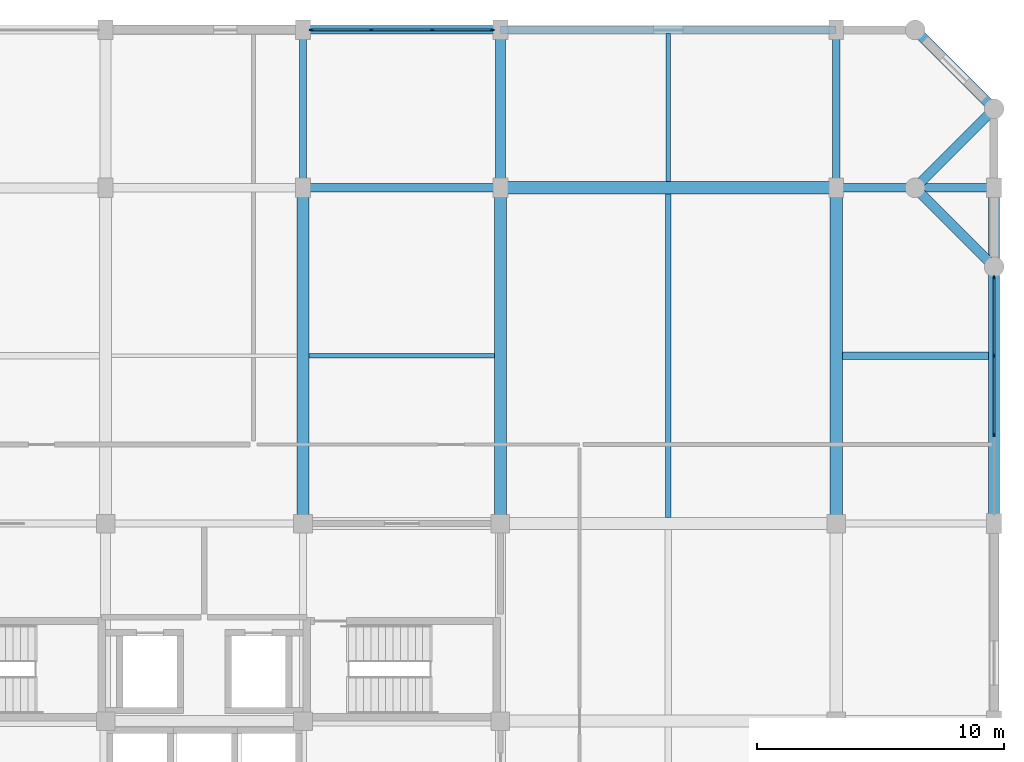
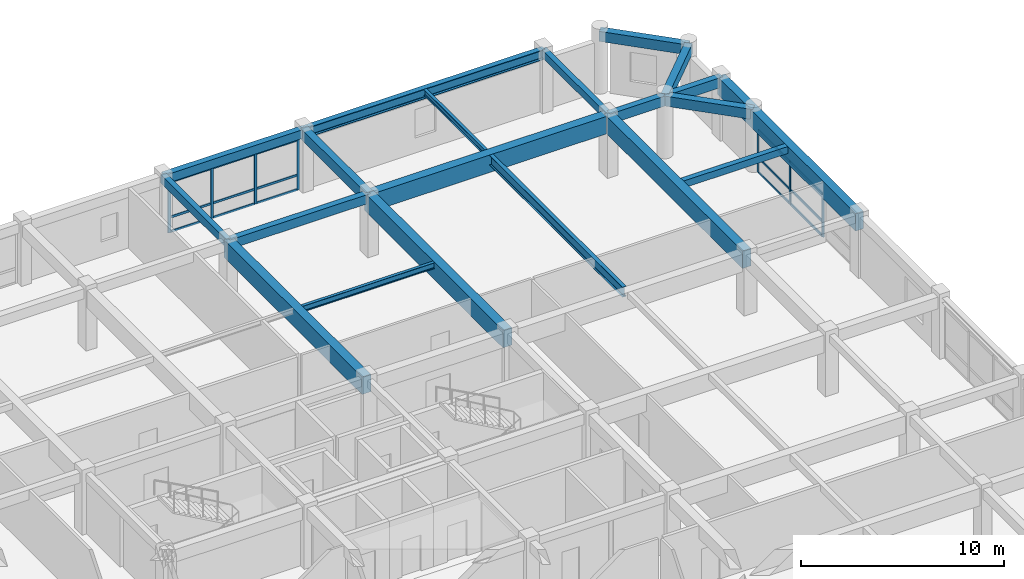
# One storey, part 8 of 14: 22 members, 19 beams, 2 elements without a shape of their own.
"""IFC4 building model written with IfcOpenShell, lengths in metres."""

from ifc_helpers import new_model, si_unit, direction, frame, origin, origin_2d, place, context, subcontext, project, spatial, rectangle, i_section, extrude, material, material_profile, profile_set, type_object, element, aggregate, save


model = new_model("IFC4")

# Units and contexts
model_context = context("Model", 3, precision=1e-05, world=origin(), true_north=direction((0.0, 1.0)))
body_context = subcontext(model_context, "Body", "Model", "MODEL_VIEW")
ifc_project = project(units=[si_unit("LENGTHUNIT", "METRE"), si_unit("AREAUNIT", "SQUARE_METRE"), si_unit("VOLUMEUNIT", "CUBIC_METRE"), si_unit("PLANEANGLEUNIT", "RADIAN"), si_unit("MASSUNIT", "GRAM", prefix="KILO")], contexts=[model_context])

# Site, building, storey
site_placement = place(None, origin())
site = spatial("IfcSite", under=ifc_project, at=site_placement, CompositionType="ELEMENT")
building_placement = place(site_placement, origin())
building = spatial("IfcBuilding", under=site, at=building_placement, Name="Vellmiral Cinema and Media Centre", CompositionType="ELEMENT")
storey_placement = place(building_placement, frame((0.0, 0.0, 27.800048828125)))
storey = spatial("IfcBuildingStorey", under=building, at=storey_placement, Name="L06", CompositionType="ELEMENT", Elevation=27.800048828125)

# Beams
ifc_material_1 = material(Name="Concrete C40/50", Category="concrete")
ifc_material_profile_1 = material_profile(ifc_material_1, rectangle(XDim=0.300048828125, YDim=0.449951171875, at=origin_2d()), Name="RC 300x450")
ifc_profile_set_1 = profile_set([ifc_material_profile_1], Name="Concrete C40/50")
beam_type_1 = type_object("IfcBeamType", Name="BM-RC-300x450", PredefinedType="BEAM", material=ifc_profile_set_1)
beam_1_placement = place(storey_placement, frame((161.60009765625, 108.800048828125, 3.409912109375), z_axis=(0.0, 1.0, 0.0), x_axis=(-1.0, 0.0, 0.0)))
element("IfcBeam", 1, at=beam_1_placement, inside=storey, type_object=beam_type_1, Name="Grid Beam L06-Y090", PredefinedType="BEAM", context=body_context, shape_type="SweptSolid", body=[
    extrude(rectangle(XDim=0.300048828125, YDim=0.449951171875, at=origin_2d()), origin(), (0.0, 0.0, 1.0), 6.39990234375),
])
ifc_material_2 = material(Name="Concrete C40/50", Category="concrete")
ifc_material_profile_2 = material_profile(ifc_material_2, rectangle(XDim=0.300048828125, YDim=0.5, at=origin_2d()), Name="RC 300x500")
ifc_profile_set_2 = profile_set([ifc_material_profile_2], Name="Concrete C40/50")
beam_type_2 = type_object("IfcBeamType", Name="BM-RC-300x500", PredefinedType="BEAM", material=ifc_profile_set_2)
beam_2_placement = place(storey_placement, frame((140.0, 108.800048828125, 3.385009765625), z_axis=(0.0, 1.0, 0.0), x_axis=(-1.0, 0.0, 0.0)))
element("IfcBeam", 2, at=beam_2_placement, inside=storey, type_object=beam_type_2, Name="Grid Beam L06-Y078", PredefinedType="BEAM", context=body_context, shape_type="SweptSolid", body=[
    extrude(rectangle(XDim=0.300048828125, YDim=0.5, at=origin_2d()), origin(), (0.0, 0.0, 1.0), 6.39990234375),
])
ifc_material_3 = material(Name="Concrete C40/50", Category="concrete")
ifc_material_profile_3 = material_profile(ifc_material_3, rectangle(XDim=0.35009765625, YDim=0.550048828125, at=origin_2d()), Name="RC 350x550")
ifc_profile_set_3 = profile_set([ifc_material_profile_3], Name="Concrete C40/50")
beam_type_3 = type_object("IfcBeamType", Name="BM-RC-350x550", PredefinedType="BEAM", material=ifc_profile_set_3)
beam_3_placement = place(storey_placement, frame((140.0, 108.800048828125, 3.35986328125), z_axis=(1.0, 0.0, 0.0), x_axis=(0.0, 1.0, 0.0)))
element("IfcBeam", 3, at=beam_3_placement, inside=storey, type_object=beam_type_3, Name="Grid Beam L06-X040", PredefinedType="BEAM", context=body_context, shape_type="SweptSolid", body=[
    extrude(rectangle(XDim=0.35009765625, YDim=0.550048828125, at=origin_2d()), origin(), (0.0, 0.0, 1.0), 8.0),
])
ifc_material_4 = material(Name="Concrete C40/50", Category="concrete")
ifc_material_profile_4 = material_profile(ifc_material_4, rectangle(XDim=0.35009765625, YDim=0.60009765625, at=origin_2d()), Name="RC 350x600")
ifc_profile_set_4 = profile_set([ifc_material_profile_4], Name="Concrete C40/50")
beam_type_4 = type_object("IfcBeamType", Name="BM-RC-350x600", PredefinedType="BEAM", material=ifc_profile_set_4)
beam_4_placement = place(storey_placement, frame((161.60009765625, 108.800048828125, 3.3349609375), z_axis=(1.0, 0.0, 0.0), x_axis=(0.0, 1.0, 0.0)))
element("IfcBeam", 4, at=beam_4_placement, inside=storey, type_object=beam_type_4, Name="Grid Beam L06-X042", PredefinedType="BEAM", context=body_context, shape_type="SweptSolid", body=[
    extrude(rectangle(XDim=0.35009765625, YDim=0.60009765625, at=origin_2d()), origin(), (0.0, 0.0, 1.0), 6.39990234375),
])
ifc_material_5 = material(Name="Concrete C40/50", Category="concrete")
ifc_material_profile_5 = material_profile(ifc_material_5, rectangle(XDim=0.39990234375, YDim=0.64990234375, at=origin_2d()), Name="RC 400x650")
ifc_profile_set_5 = profile_set([ifc_material_profile_5], Name="Concrete C40/50")
beam_type_5 = type_object("IfcBeamType", Name="BM-RC-400x650", PredefinedType="BEAM", material=ifc_profile_set_5)
beam_5_placement = place(storey_placement, frame((148.0, 108.800048828125, 3.31005859375), z_axis=(0.0, 1.0, 0.0), x_axis=(-1.0, 0.0, 0.0)))
element("IfcBeam", 5, at=beam_5_placement, inside=storey, type_object=beam_type_5, Name="Grid Beam L06-Y084", PredefinedType="BEAM", context=body_context, shape_type="SweptSolid", body=[
    extrude(rectangle(XDim=0.39990234375, YDim=0.64990234375, at=origin_2d()), origin(), (0.0, 0.0, 1.0), 6.39990234375),
])
ifc_material_6 = material(Name="Concrete C40/50", Category="concrete")
ifc_material_profile_6 = material_profile(ifc_material_6, rectangle(XDim=0.5, YDim=1.050048828125, at=origin_2d()), Name="RC 500x1050")
ifc_profile_set_6 = profile_set([ifc_material_profile_6], Name="Concrete C40/50")
beam_type_6 = type_object("IfcBeamType", Name="BM-RCG-500x1050", PredefinedType="BEAM", material=ifc_profile_set_6)
for number, where, z_axis, x_axis, name in (
    (6, (148.0, 108.800048828125, 3.10986328125), (1.0, 0.0, 0.0), (0.0, 1.0, 0.0), "Grid Beam L06-X041"),
    (7, (140.0, 95.199951171875, 3.10986328125), (0.0, 1.0, 0.0), (-1.0, 0.0, 0.0), "Grid Beam L06-Y077"),
    (8, (148.0, 95.199951171875, 3.10986328125), (0.0, 1.0, 0.0), (-1.0, 0.0, 0.0), "Grid Beam L06-Y083"),
    (9, (161.60009765625, 95.199951171875, 3.10986328125), (0.0, 1.0, 0.0), (-1.0, 0.0, 0.0), "Grid Beam L06-Y089"),
):
    element("IfcBeam", number, at=place(storey_placement, frame(where, z_axis=z_axis, x_axis=x_axis)), inside=storey, type_object=beam_type_6, Name=name, PredefinedType="BEAM", context=body_context, shape_type="SweptSolid", body=[
        extrude(rectangle(XDim=0.5, YDim=1.050048828125, at=origin_2d()), origin(), (0.0, 0.0, 1.0), 13.60009765625),
    ])

# Curtain wall, members
ifc_material_7 = material(Name="Thermally Broken Aluminium and Triple Glazing", Category="aluminium")
curtain_wall_type = type_object("IfcCurtainWallType", Name="CW-TOWER-LOW-S", PredefinedType="USERDEFINED", material=ifc_material_7)
curtain_wall_1_placement = place(storey_placement, origin())
curtain_wall_1 = element("IfcCurtainWall", 10, at=curtain_wall_1_placement, inside=storey, type_object=curtain_wall_type, Name="Curtain Wall L06-B013", ObjectType="UNITISED CURTAIN WALL", PredefinedType="USERDEFINED")
ifc_material_8 = material(Name="Thermally Broken Anodised Aluminium", Category="aluminium")
ifc_material_profile_7 = material_profile(ifc_material_8, rectangle(XDim=0.06494140625, YDim=0.159912109375, at=origin_2d()), Name="MULL 65x160")
ifc_profile_set_7 = profile_set([ifc_material_profile_7], Name="Thermally Broken Anodised Aluminium")
member_type_1 = type_object("IfcMemberType", Name="CWM-65x160", PredefinedType="MULLION", material=ifc_profile_set_7)
member_1_placement = place(storey_placement, frame((168.0, 98.800048828125, 0.0), z_axis=(0.0, 0.0, 1.0), x_axis=(-1.0, 0.0, 0.0)))
member_1 = element("IfcMember", 11, at=member_1_placement, type_object=member_type_1, Name="CW-06 mullion 2", PredefinedType="MULLION", context=body_context, shape_type="SweptSolid", body=[
    extrude(rectangle(XDim=0.06494140625, YDim=0.159912109375, at=origin_2d()), origin(), (0.0, 0.0, 1.0), 2.574951171875),
])
member_2_placement = place(storey_placement, frame((168.0, 102.0, 0.0), z_axis=(0.0, 0.0, 1.0), x_axis=(-1.0, 0.0, 0.0)))
member_2 = element("IfcMember", 12, at=member_2_placement, type_object=member_type_1, Name="CW-06 mullion 3", PredefinedType="MULLION", context=body_context, shape_type="SweptSolid", body=[
    extrude(rectangle(XDim=0.06494140625, YDim=0.159912109375, at=origin_2d()), origin(), (0.0, 0.0, 1.0), 2.574951171875),
])
member_3_placement = place(storey_placement, frame((168.0, 105.16748046875, 0.0), z_axis=(0.0, 0.0, 1.0), x_axis=(-1.0, 0.0, 0.0)))
member_3 = element("IfcMember", 13, at=member_3_placement, type_object=member_type_1, Name="CW-06 mullion 4", PredefinedType="MULLION", context=body_context, shape_type="SweptSolid", body=[
    extrude(rectangle(XDim=0.06494140625, YDim=0.159912109375, at=origin_2d()), origin(), (0.0, 0.0, 1.0), 2.574951171875),
])

curtain_wall_2_placement = place(storey_placement, origin())
curtain_wall_2 = element("IfcCurtainWall", 14, at=curtain_wall_2_placement, inside=storey, type_object=curtain_wall_type, Name="Curtain Wall L06-B019", ObjectType="UNITISED CURTAIN WALL", PredefinedType="USERDEFINED")
member_4_placement = place(storey_placement, frame((147.66748046875, 115.199951171875, 0.0), z_axis=(0.0, 0.0, 1.0), x_axis=(0.0, -1.0, 0.0)))
member_4 = element("IfcMember", 15, at=member_4_placement, type_object=member_type_1, Name="CW-06 mullion 1", PredefinedType="MULLION", context=body_context, shape_type="SweptSolid", body=[
    extrude(rectangle(XDim=0.06494140625, YDim=0.159912109375, at=origin_2d()), origin(), (0.0, 0.0, 1.0), 3.0400390625),
])
member_5_placement = place(storey_placement, frame((145.2333984375, 115.199951171875, 0.0), z_axis=(0.0, 0.0, 1.0), x_axis=(0.0, -1.0, 0.0)))
member_5 = element("IfcMember", 16, at=member_5_placement, type_object=member_type_1, Name="CW-06 mullion 2", PredefinedType="MULLION", context=body_context, shape_type="SweptSolid", body=[
    extrude(rectangle(XDim=0.06494140625, YDim=0.159912109375, at=origin_2d()), origin(), (0.0, 0.0, 1.0), 3.0400390625),
])
member_6_placement = place(storey_placement, frame((142.7666015625, 115.199951171875, 0.0), z_axis=(0.0, 0.0, 1.0), x_axis=(0.0, -1.0, 0.0)))
member_6 = element("IfcMember", 17, at=member_6_placement, type_object=member_type_1, Name="CW-06 mullion 3", PredefinedType="MULLION", context=body_context, shape_type="SweptSolid", body=[
    extrude(rectangle(XDim=0.06494140625, YDim=0.159912109375, at=origin_2d()), origin(), (0.0, 0.0, 1.0), 3.0400390625),
])
member_7_placement = place(storey_placement, frame((140.33251953125, 115.199951171875, 0.0), z_axis=(0.0, 0.0, 1.0), x_axis=(0.0, -1.0, 0.0)))
member_7 = element("IfcMember", 18, at=member_7_placement, type_object=member_type_1, Name="CW-06 mullion 4", PredefinedType="MULLION", context=body_context, shape_type="SweptSolid", body=[
    extrude(rectangle(XDim=0.06494140625, YDim=0.159912109375, at=origin_2d()), origin(), (0.0, 0.0, 1.0), 3.0400390625),
])

# Member
ifc_material_9 = material(Name="Thermally Broken Anodised Aluminium", Category="aluminium")
ifc_material_profile_8 = material_profile(ifc_material_9, rectangle(XDim=0.06494140625, YDim=0.135009765625, at=origin_2d()), Name="MULL 65x135")
ifc_profile_set_8 = profile_set([ifc_material_profile_8], Name="Thermally Broken Anodised Aluminium")
member_type_2 = type_object("IfcMemberType", Name="CWT-65x135", PredefinedType="USERDEFINED", material=ifc_profile_set_8)
member_8_placement = place(storey_placement, frame((168.0, 98.83251953125, 0.032470703125), z_axis=(0.0, 1.0, 0.0), x_axis=(-1.0, 0.0, 0.0)))
member_8 = element("IfcMember", 19, at=member_8_placement, type_object=member_type_2, Name="CW-06 transom 2.1", ObjectType="TRANSOM", PredefinedType="USERDEFINED", context=body_context, shape_type="SweptSolid", body=[
    extrude(rectangle(XDim=0.06494140625, YDim=0.135009765625, at=origin_2d()), origin(), (0.0, 0.0, 1.0), 3.135009765625),
])

member_9_placement = place(storey_placement, frame((168.0, 98.83251953125, 0.89990234375), z_axis=(0.0, 1.0, 0.0), x_axis=(-1.0, 0.0, 0.0)))
member_9 = element("IfcMember", 20, at=member_9_placement, type_object=member_type_2, Name="CW-06 transom 2.2", ObjectType="TRANSOM", PredefinedType="USERDEFINED", context=body_context, shape_type="SweptSolid", body=[
    extrude(rectangle(XDim=0.06494140625, YDim=0.135009765625, at=origin_2d()), origin(), (0.0, 0.0, 1.0), 3.135009765625),
])

member_10_placement = place(storey_placement, frame((168.0, 98.83251953125, 2.54248046875), z_axis=(0.0, 1.0, 0.0), x_axis=(-1.0, 0.0, 0.0)))
member_10 = element("IfcMember", 21, at=member_10_placement, type_object=member_type_2, Name="CW-06 transom 2.3", ObjectType="TRANSOM", PredefinedType="USERDEFINED", context=body_context, shape_type="SweptSolid", body=[
    extrude(rectangle(XDim=0.06494140625, YDim=0.135009765625, at=origin_2d()), origin(), (0.0, 0.0, 1.0), 3.135009765625),
])

member_11_placement = place(storey_placement, frame((168.0, 102.032470703125, 0.032470703125), z_axis=(0.0, 1.0, 0.0), x_axis=(-1.0, 0.0, 0.0)))
member_11 = element("IfcMember", 22, at=member_11_placement, type_object=member_type_2, Name="CW-06 transom 3.1", ObjectType="TRANSOM", PredefinedType="USERDEFINED", context=body_context, shape_type="SweptSolid", body=[
    extrude(rectangle(XDim=0.06494140625, YDim=0.135009765625, at=origin_2d()), origin(), (0.0, 0.0, 1.0), 3.1025390625),
])

member_12_placement = place(storey_placement, frame((168.0, 102.032470703125, 0.89990234375), z_axis=(0.0, 1.0, 0.0), x_axis=(-1.0, 0.0, 0.0)))
member_12 = element("IfcMember", 23, at=member_12_placement, type_object=member_type_2, Name="CW-06 transom 3.2", ObjectType="TRANSOM", PredefinedType="USERDEFINED", context=body_context, shape_type="SweptSolid", body=[
    extrude(rectangle(XDim=0.06494140625, YDim=0.135009765625, at=origin_2d()), origin(), (0.0, 0.0, 1.0), 3.1025390625),
])

member_13_placement = place(storey_placement, frame((168.0, 102.032470703125, 2.54248046875), z_axis=(0.0, 1.0, 0.0), x_axis=(-1.0, 0.0, 0.0)))
member_13 = element("IfcMember", 24, at=member_13_placement, type_object=member_type_2, Name="CW-06 transom 3.3", ObjectType="TRANSOM", PredefinedType="USERDEFINED", context=body_context, shape_type="SweptSolid", body=[
    extrude(rectangle(XDim=0.06494140625, YDim=0.135009765625, at=origin_2d()), origin(), (0.0, 0.0, 1.0), 3.1025390625),
])

aggregate(curtain_wall_1, [member_1, member_2, member_3, member_8, member_9, member_10, member_11, member_12, member_13])

member_14_placement = place(storey_placement, frame((147.635009765625, 115.199951171875, 0.032470703125), z_axis=(-1.0, 0.0, 0.0), x_axis=(0.0, -1.0, 0.0)))
member_14 = element("IfcMember", 25, at=member_14_placement, type_object=member_type_2, Name="CW-06 transom 1.1", ObjectType="TRANSOM", PredefinedType="USERDEFINED", context=body_context, shape_type="SweptSolid", body=[
    extrude(rectangle(XDim=0.06494140625, YDim=0.135009765625, at=origin_2d()), origin(), (0.0, 0.0, 1.0), 2.369140625),
])

member_15_placement = place(storey_placement, frame((147.635009765625, 115.199951171875, 0.89990234375), z_axis=(-1.0, 0.0, 0.0), x_axis=(0.0, -1.0, 0.0)))
member_15 = element("IfcMember", 26, at=member_15_placement, type_object=member_type_2, Name="CW-06 transom 1.2", ObjectType="TRANSOM", PredefinedType="USERDEFINED", context=body_context, shape_type="SweptSolid", body=[
    extrude(rectangle(XDim=0.06494140625, YDim=0.135009765625, at=origin_2d()), origin(), (0.0, 0.0, 1.0), 2.369140625),
])

member_16_placement = place(storey_placement, frame((147.635009765625, 115.199951171875, 3.007568359375), z_axis=(-1.0, 0.0, 0.0), x_axis=(0.0, -1.0, 0.0)))
member_16 = element("IfcMember", 27, at=member_16_placement, type_object=member_type_2, Name="CW-06 transom 1.3", ObjectType="TRANSOM", PredefinedType="USERDEFINED", context=body_context, shape_type="SweptSolid", body=[
    extrude(rectangle(XDim=0.06494140625, YDim=0.135009765625, at=origin_2d()), origin(), (0.0, 0.0, 1.0), 2.369140625),
])

member_17_placement = place(storey_placement, frame((145.200927734375, 115.199951171875, 0.032470703125), z_axis=(-1.0, 0.0, 0.0), x_axis=(0.0, -1.0, 0.0)))
member_17 = element("IfcMember", 28, at=member_17_placement, type_object=member_type_2, Name="CW-06 transom 2.1", ObjectType="TRANSOM", PredefinedType="USERDEFINED", context=body_context, shape_type="SweptSolid", body=[
    extrude(rectangle(XDim=0.06494140625, YDim=0.135009765625, at=origin_2d()), origin(), (0.0, 0.0, 1.0), 2.40185546875),
])

member_18_placement = place(storey_placement, frame((145.200927734375, 115.199951171875, 0.89990234375), z_axis=(-1.0, 0.0, 0.0), x_axis=(0.0, -1.0, 0.0)))
member_18 = element("IfcMember", 29, at=member_18_placement, type_object=member_type_2, Name="CW-06 transom 2.2", ObjectType="TRANSOM", PredefinedType="USERDEFINED", context=body_context, shape_type="SweptSolid", body=[
    extrude(rectangle(XDim=0.06494140625, YDim=0.135009765625, at=origin_2d()), origin(), (0.0, 0.0, 1.0), 2.40185546875),
])

member_19_placement = place(storey_placement, frame((145.200927734375, 115.199951171875, 3.007568359375), z_axis=(-1.0, 0.0, 0.0), x_axis=(0.0, -1.0, 0.0)))
member_19 = element("IfcMember", 30, at=member_19_placement, type_object=member_type_2, Name="CW-06 transom 2.3", ObjectType="TRANSOM", PredefinedType="USERDEFINED", context=body_context, shape_type="SweptSolid", body=[
    extrude(rectangle(XDim=0.06494140625, YDim=0.135009765625, at=origin_2d()), origin(), (0.0, 0.0, 1.0), 2.40185546875),
])

member_20_placement = place(storey_placement, frame((142.734130859375, 115.199951171875, 0.032470703125), z_axis=(-1.0, 0.0, 0.0), x_axis=(0.0, -1.0, 0.0)))
member_20 = element("IfcMember", 31, at=member_20_placement, type_object=member_type_2, Name="CW-06 transom 3.1", ObjectType="TRANSOM", PredefinedType="USERDEFINED", context=body_context, shape_type="SweptSolid", body=[
    extrude(rectangle(XDim=0.06494140625, YDim=0.135009765625, at=origin_2d()), origin(), (0.0, 0.0, 1.0), 2.369140625),
])

member_21_placement = place(storey_placement, frame((142.734130859375, 115.199951171875, 0.89990234375), z_axis=(-1.0, 0.0, 0.0), x_axis=(0.0, -1.0, 0.0)))
member_21 = element("IfcMember", 32, at=member_21_placement, type_object=member_type_2, Name="CW-06 transom 3.2", ObjectType="TRANSOM", PredefinedType="USERDEFINED", context=body_context, shape_type="SweptSolid", body=[
    extrude(rectangle(XDim=0.06494140625, YDim=0.135009765625, at=origin_2d()), origin(), (0.0, 0.0, 1.0), 2.369140625),
])

member_22_placement = place(storey_placement, frame((142.734130859375, 115.199951171875, 3.007568359375), z_axis=(-1.0, 0.0, 0.0), x_axis=(0.0, -1.0, 0.0)))
member_22 = element("IfcMember", 33, at=member_22_placement, type_object=member_type_2, Name="CW-06 transom 3.3", ObjectType="TRANSOM", PredefinedType="USERDEFINED", context=body_context, shape_type="SweptSolid", body=[
    extrude(rectangle(XDim=0.06494140625, YDim=0.135009765625, at=origin_2d()), origin(), (0.0, 0.0, 1.0), 2.369140625),
])

aggregate(curtain_wall_2, [member_4, member_5, member_6, member_7, member_14, member_15, member_16, member_17, member_18, member_19, member_20, member_21, member_22])

# Beams
ifc_material_10 = material(Name="Concrete C40/50", Category="concrete")
ifc_material_profile_9 = material_profile(ifc_material_10, rectangle(XDim=0.300048828125, YDim=0.419921875, at=origin_2d()), Name="RC 300x420")
ifc_profile_set_9 = profile_set([ifc_material_profile_9], Name="Concrete C40/50")
beam_type_7 = type_object("IfcBeamType", Name="JST-RC-300x420", PredefinedType="JOIST", material=ifc_profile_set_9)
beam_6_placement = place(storey_placement, frame((161.85009765625, 102.0, 3.425048828125), z_axis=(1.0, 0.0, 0.0), x_axis=(0.0, 1.0, 0.0)))
element("IfcBeam", 34, at=beam_6_placement, inside=storey, type_object=beam_type_7, Name="Secondary Floor Joist L06-012", PredefinedType="JOIST", context=body_context, shape_type="SweptSolid", body=[
    extrude(rectangle(XDim=0.300048828125, YDim=0.419921875, at=origin_2d()), origin(), (0.0, 0.0, 1.0), 5.9248046875),
])
ifc_material_11 = material(Name="Steel S355", Category="steel")
ifc_material_profile_10 = material_profile(ifc_material_11, i_section(OverallWidth=0.300048828125, OverallDepth=0.60009765625, WebThickness=0.015380859375, FlangeThickness=0.030029296875, FilletRadius=0.027099609375, at=origin_2d()), Name="HEB 600")
ifc_profile_set_10 = profile_set([ifc_material_profile_10], Name="Steel S355")
beam_type_8 = type_object("IfcBeamType", Name="SBM-HEB600-SPD", PredefinedType="SPANDREL", material=ifc_profile_set_10)
beam_7_placement = place(storey_placement, frame((148.0, 115.199951171875, 3.3349609375), z_axis=(1.0, 0.0, 0.0), x_axis=(0.0, 1.0, 0.0)))
element("IfcBeam", 35, at=beam_7_placement, inside=storey, type_object=beam_type_8, Name="Grid Beam L06-X048", PredefinedType="SPANDREL", context=body_context, shape_type="SweptSolid", body=[
    extrude(i_section(OverallWidth=0.300048828125, OverallDepth=0.60009765625, WebThickness=0.015380859375, FlangeThickness=0.030029296875, FilletRadius=0.027099609375, at=origin_2d()), origin(), (0.0, 0.0, 1.0), 13.60009765625),
])
ifc_material_12 = material(Name="Steel S355", Category="steel")
ifc_material_profile_11 = material_profile(ifc_material_12, i_section(OverallWidth=0.169921875, OverallDepth=0.360107421875, WebThickness=0.008056640625, FlangeThickness=0.0126953125, FilletRadius=0.01806640625, at=origin_2d()), Name="IPE 360")
ifc_profile_set_11 = profile_set([ifc_material_profile_11], Name="Steel S355")
beam_type_9 = type_object("IfcBeamType", Name="SBM-IPE360", PredefinedType="JOIST", material=ifc_profile_set_11)
beam_8_placement = place(storey_placement, frame((140.25, 102.0, 3.454833984375), z_axis=(1.0, 0.0, 0.0), x_axis=(0.0, 1.0, 0.0)))
element("IfcBeam", 36, at=beam_8_placement, inside=storey, type_object=beam_type_9, Name="Secondary Floor Joist L06-005", PredefinedType="JOIST", context=body_context, shape_type="SweptSolid", body=[
    extrude(i_section(OverallWidth=0.169921875, OverallDepth=0.360107421875, WebThickness=0.008056640625, FlangeThickness=0.0126953125, FilletRadius=0.01806640625, at=origin_2d()), origin(), (0.0, 0.0, 1.0), 7.5),
])
beam_9_placement = place(storey_placement, frame((154.800048828125, 109.050048828125, 3.454833984375), z_axis=(0.0, 1.0, 0.0), x_axis=(-1.0, 0.0, 0.0)))
element("IfcBeam", 37, at=beam_9_placement, inside=storey, type_object=beam_type_9, Name="Secondary Floor Joist L06-011", PredefinedType="JOIST", context=body_context, shape_type="SweptSolid", body=[
    extrude(i_section(OverallWidth=0.169921875, OverallDepth=0.360107421875, WebThickness=0.008056640625, FlangeThickness=0.0126953125, FilletRadius=0.01806640625, at=origin_2d()), origin(), (0.0, 0.0, 1.0), 6.0),
])
ifc_material_13 = material(Name="Steel S355", Category="steel")
ifc_material_profile_12 = material_profile(ifc_material_13, i_section(OverallWidth=0.219970703125, OverallDepth=0.60009765625, WebThickness=0.011962890625, FlangeThickness=0.01904296875, FilletRadius=0.02392578125, at=origin_2d()), Name="IPE 600")
ifc_profile_set_12 = profile_set([ifc_material_profile_12], Name="Steel S355")
beam_type_10 = type_object("IfcBeamType", Name="SBM-IPE600", PredefinedType="JOIST", material=ifc_profile_set_12)
beam_10_placement = place(storey_placement, frame((154.800048828125, 95.449951171875, 3.3349609375), z_axis=(0.0, 1.0, 0.0), x_axis=(-1.0, 0.0, 0.0)))
element("IfcBeam", 38, at=beam_10_placement, inside=storey, type_object=beam_type_10, Name="Secondary Floor Joist L06-010", PredefinedType="JOIST", context=body_context, shape_type="SweptSolid", body=[
    extrude(i_section(OverallWidth=0.219970703125, OverallDepth=0.60009765625, WebThickness=0.011962890625, FlangeThickness=0.01904296875, FilletRadius=0.02392578125, at=origin_2d()), origin(), (0.0, 0.0, 1.0), 13.10009765625),
])
ifc_material_14 = material(Name="Concrete C40/50", Category="concrete")
ifc_material_profile_13 = material_profile(ifc_material_14, rectangle(XDim=0.39990234375, YDim=0.60009765625, at=origin_2d()), Name="RC 400x600")
ifc_profile_set_13 = profile_set([ifc_material_profile_13], Name="Concrete C40/50")
beam_type_11 = type_object("IfcBeamType", Name="SPD-RC-400x600", PredefinedType="SPANDREL", material=ifc_profile_set_13)
for number, where, z_axis, x_axis, name in (
    (39, (164.800048828125, 108.800048828125, 3.3349609375), (0.707106781187, -0.707106781187, 0.0), (0.707106781187, 0.707106781187, 0.0), "Xamfra Chamfer Spandrel Beam L06-099"),
    (40, (164.800048828125, 108.800048828125, 3.3349609375), (0.707106781187, 0.707106781187, 0.0), (-0.707106781187, 0.707106781187, 0.0), "Xamfra Chamfer Spandrel Beam L06-100"),
    (41, (164.800048828125, 115.199951171875, 3.3349609375), (0.707106781187, -0.707106781187, 0.0), (0.707106781187, 0.707106781187, 0.0), "Xamfra Chamfer Spandrel Beam L06-101"),
):
    element("IfcBeam", number, at=place(storey_placement, frame(where, z_axis=z_axis, x_axis=x_axis)), inside=storey, type_object=beam_type_11, Name=name, PredefinedType="SPANDREL", context=body_context, shape_type="SweptSolid", body=[
        extrude(rectangle(XDim=0.39990234375, YDim=0.60009765625, at=origin_2d()), origin(), (0.0, 0.0, 1.0), 4.525390625),
    ])
ifc_material_15 = material(Name="Concrete C40/50", Category="concrete")
ifc_material_profile_14 = material_profile(ifc_material_15, rectangle(XDim=0.449951171875, YDim=1.050048828125, at=origin_2d()), Name="RC 450x1050")
ifc_profile_set_14 = profile_set([ifc_material_profile_14], Name="Concrete C40/50")
beam_type_12 = type_object("IfcBeamType", Name="SPD-RCG-450x1050", PredefinedType="SPANDREL", material=ifc_profile_set_14)
beam_11_placement = place(storey_placement, frame((168.0, 95.199951171875, 3.10986328125), z_axis=(0.0, 1.0, 0.0), x_axis=(-1.0, 0.0, 0.0)))
element("IfcBeam", 42, at=beam_11_placement, inside=storey, type_object=beam_type_12, Name="Grid Beam L06-Y095", PredefinedType="SPANDREL", context=body_context, shape_type="SweptSolid", body=[
    extrude(rectangle(XDim=0.449951171875, YDim=1.050048828125, at=origin_2d()), origin(), (0.0, 0.0, 1.0), 13.60009765625),
])
ifc_material_16 = material(Name="Vosges Red Sandstone Masonry", Category="masonry")
ifc_material_profile_15 = material_profile(ifc_material_16, rectangle(XDim=0.340087890625, YDim=0.52001953125, at=origin_2d()), Name="SAND 340x520")
ifc_profile_set_15 = profile_set([ifc_material_profile_15], Name="Vosges Red Sandstone Masonry")
beam_type_13 = type_object("IfcBeamType", Name="SPD-SAND-340x520", PredefinedType="SPANDREL", material=ifc_profile_set_15)
beam_12_placement = place(storey_placement, frame((140.0, 115.199951171875, 3.375), z_axis=(1.0, 0.0, 0.0), x_axis=(0.0, 1.0, 0.0)))
element("IfcBeam", 43, at=beam_12_placement, inside=storey, type_object=beam_type_13, Name="Grid Beam L06-X047", PredefinedType="SPANDREL", context=body_context, shape_type="SweptSolid", body=[
    extrude(rectangle(XDim=0.340087890625, YDim=0.52001953125, at=origin_2d()), origin(), (0.0, 0.0, 1.0), 8.0),
])

save(model, "model.ifc")
